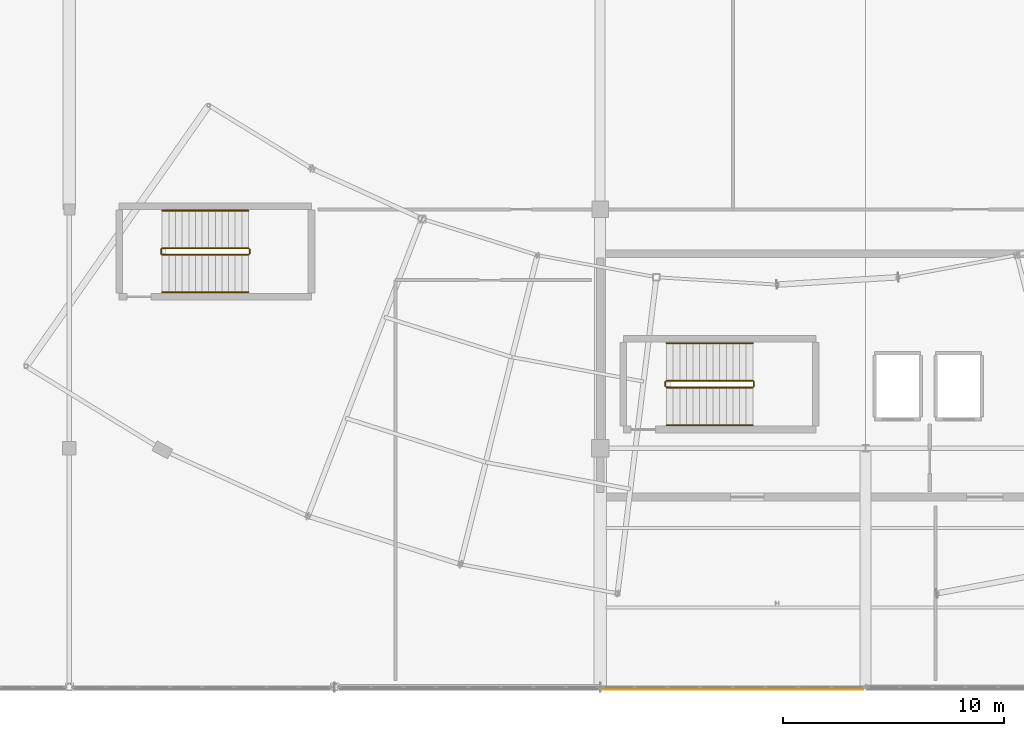
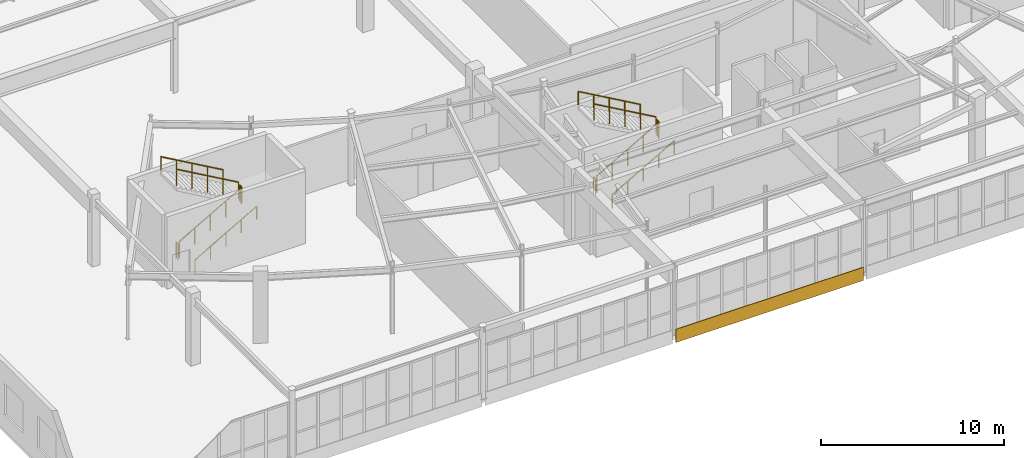
# One storey, part 166 of 186: 12 railings, 1 covering.
"""IFC4 building model written with IfcOpenShell, lengths in metres."""

from ifc_helpers import new_model, si_unit, direction, frame, origin, origin_2d, place, context, subcontext, project, spatial, rectangle, circle, extrude, material, layer, layer_set, type_object, element, save


model = new_model("IFC4")

# Units and contexts
model_context = context("Model", 3, precision=1e-05, world=origin(), true_north=direction((0.0, 1.0)))
body_context = subcontext(model_context, "Body", "Model", "MODEL_VIEW")
ifc_project = project(units=[si_unit("LENGTHUNIT", "METRE"), si_unit("AREAUNIT", "SQUARE_METRE"), si_unit("VOLUMEUNIT", "CUBIC_METRE"), si_unit("PLANEANGLEUNIT", "RADIAN"), si_unit("MASSUNIT", "GRAM", prefix="KILO")], contexts=[model_context])

# Site, building, storey
site_placement = place(None, origin())
site = spatial("IfcSite", under=ifc_project, at=site_placement, CompositionType="ELEMENT")
building_placement = place(site_placement, origin())
building = spatial("IfcBuilding", under=site, at=building_placement, Name="Tarnwether General Hospital", CompositionType="ELEMENT")
storey_placement = place(building_placement, frame((0.0, 0.0, 9.60009765625)))
storey = spatial("IfcBuildingStorey", under=building, at=storey_placement, Name="L02", CompositionType="ELEMENT", Elevation=9.60009765625)

# Covering
ifc_material_1 = material(Name="Folded zinc-titanium cladding")
ifc_layer = layer(ifc_material_1, 0.0400390625)
ifc_layer_set = layer_set([ifc_layer], Name="Folded zinc-titanium cladding")
covering_type = type_object("IfcCoveringType", Name="CV-CLD-ZNC", PredefinedType="CLADDING", material=ifc_layer_set)
covering_placement = place(storey_placement, frame((90.0, -0.090087890625, -0.52001953125), z_axis=(0.0, 0.0, 1.0), x_axis=(1.0, 0.0, 0.0)))
element("IfcCovering", 1, at=covering_placement, inside=storey, type_object=covering_type, Name="Diagnostic Base Faceted Zinc Spandrel 079", PredefinedType="CLADDING", context=body_context, shape_type="SweptSolid", body=[
    extrude(rectangle(XDim=11.800048828125, YDim=0.0400390625, at=origin_2d()), origin(), (0.0, 0.0, 1.0), 0.8798828125),
])

# Railings
ifc_material_2 = material(Name="Anodised aluminium", Category="aluminium")
railing_type_1 = type_object("IfcRailingType", Name="RL-GRD-INT", PredefinedType="GUARDRAIL", material=ifc_material_2)
railing_1_placement = place(storey_placement, frame((87.0, 13.550048828125, 0.17138671875)))
element("IfcRailing", 2, at=railing_1_placement, inside=storey, type_object=railing_type_1, Name="L02 ST-02 stair guard 1", PredefinedType="GUARDRAIL", context=body_context, shape_type="SweptSolid", body=[
    extrude(circle(Radius=0.02392578125, at=origin_2d()), frame((0.0, 0.0, 1.076171875), z_axis=(0.868243142124, 0.0, 0.496138938357), x_axis=(0.0, 1.0, 0.0)), (0.0, 0.0, 1.0), 4.49169921875),
    extrude(circle(Radius=0.02099609375, at=origin_2d()), origin(), (0.0, 0.0, 1.0), 1.052001953125),
    extrude(circle(Radius=0.02099609375, at=origin_2d()), frame((0.97509765625, 0.0, 0.55712890625)), (0.0, 0.0, 1.0), 1.052001953125),
    extrude(circle(Radius=0.02099609375, at=origin_2d()), frame((1.949951171875, 0.0, 1.1142578125)), (0.0, 0.0, 1.0), 1.052001953125),
    extrude(circle(Radius=0.02099609375, at=origin_2d()), frame((2.9248046875, 0.0, 1.67138671875)), (0.0, 0.0, 1.0), 1.052001953125),
    extrude(circle(Radius=0.02099609375, at=origin_2d()), frame((3.89990234375, 0.0, 2.228515625)), (0.0, 0.0, 1.0), 1.052001953125),
])
railing_2_placement = place(storey_placement, frame((90.949951171875, 13.60009765625, 2.39990234375)))
element("IfcRailing", 3, at=railing_2_placement, inside=storey, type_object=railing_type_1, Name="L02 ST-02 stair guard 2", PredefinedType="GUARDRAIL", context=body_context, shape_type="SweptSolid", body=[
    extrude(circle(Radius=0.02392578125, at=origin_2d()), frame((0.0, 0.0, 1.076171875), z_axis=(0.0, 1.0, 0.0), x_axis=(-1.0, 0.0, 0.0)), (0.0, 0.0, 1.0), 0.199951171875),
    extrude(circle(Radius=0.02099609375, at=origin_2d()), origin(), (0.0, 0.0, 1.0), 1.052001953125),
    extrude(circle(Radius=0.02099609375, at=origin_2d()), frame((0.0, 0.199951171875, 0.0)), (0.0, 0.0, 1.0), 1.052001953125),
])
railing_3_placement = place(storey_placement, frame((90.89990234375, 13.85009765625, 2.5712890625)))
element("IfcRailing", 4, at=railing_3_placement, inside=storey, type_object=railing_type_1, Name="L02 ST-02 stair guard 3", PredefinedType="GUARDRAIL", context=body_context, shape_type="SweptSolid", body=[
    extrude(circle(Radius=0.02392578125, at=origin_2d()), frame((0.0, 0.0, 1.076171875), z_axis=(-0.868243142124, 0.0, 0.496138938357), x_axis=(0.0, -1.0, 0.0)), (0.0, 0.0, 1.0), 4.49169921875),
    extrude(circle(Radius=0.02099609375, at=origin_2d()), origin(), (0.0, 0.0, 1.0), 1.052001953125),
    extrude(circle(Radius=0.02099609375, at=origin_2d()), frame((-0.97509765625, 0.0, 0.55712890625)), (0.0, 0.0, 1.0), 1.052001953125),
    extrude(circle(Radius=0.02099609375, at=origin_2d()), frame((-1.949951171875, 0.0, 1.1142578125)), (0.0, 0.0, 1.0), 1.052001953125),
    extrude(circle(Radius=0.02099609375, at=origin_2d()), frame((-2.9248046875, 0.0, 1.67138671875)), (0.0, 0.0, 1.0), 1.052001953125),
    extrude(circle(Radius=0.02099609375, at=origin_2d()), frame((-3.89990234375, 0.0, 2.228515625)), (0.0, 0.0, 1.0), 1.052001953125),
])
railing_4_placement = place(storey_placement, frame((86.949951171875, 13.60009765625, 0.0)))
element("IfcRailing", 5, at=railing_4_placement, inside=storey, type_object=railing_type_1, Name="L02 ST-02 stair guard 4", PredefinedType="GUARDRAIL", context=body_context, shape_type="SweptSolid", body=[
    extrude(circle(Radius=0.02392578125, at=origin_2d()), frame((0.0, 0.0, 1.076171875), z_axis=(0.0, 1.0, 0.0), x_axis=(-1.0, 0.0, 0.0)), (0.0, 0.0, 1.0), 0.199951171875),
    extrude(circle(Radius=0.02099609375, at=origin_2d()), origin(), (0.0, 0.0, 1.0), 1.052001953125),
    extrude(circle(Radius=0.02099609375, at=origin_2d()), frame((0.0, 0.199951171875, 0.0)), (0.0, 0.0, 1.0), 1.052001953125),
])
railing_5_placement = place(storey_placement, frame((64.199951171875, 19.550048828125, 0.17138671875)))
element("IfcRailing", 6, at=railing_5_placement, inside=storey, type_object=railing_type_1, Name="L02 ST-09 stair guard 1", PredefinedType="GUARDRAIL", context=body_context, shape_type="SweptSolid", body=[
    extrude(circle(Radius=0.02392578125, at=origin_2d()), frame((0.0, 0.0, 1.076171875), z_axis=(0.868256520506, 0.0, 0.496115525457), x_axis=(0.0, 1.0, 0.0)), (0.0, 0.0, 1.0), 4.491943359375),
    extrude(circle(Radius=0.02099609375, at=origin_2d()), origin(), (0.0, 0.0, 1.0), 1.052001953125),
    extrude(circle(Radius=0.02099609375, at=origin_2d()), frame((0.97509765625, 0.0, 0.55712890625)), (0.0, 0.0, 1.0), 1.052001953125),
    extrude(circle(Radius=0.02099609375, at=origin_2d()), frame((1.9501953125, 0.0, 1.1142578125)), (0.0, 0.0, 1.0), 1.052001953125),
    extrude(circle(Radius=0.02099609375, at=origin_2d()), frame((2.925048828125, 0.0, 1.67138671875)), (0.0, 0.0, 1.0), 1.052001953125),
    extrude(circle(Radius=0.02099609375, at=origin_2d()), frame((3.900146484375, 0.0, 2.228515625)), (0.0, 0.0, 1.0), 1.052001953125),
])
railing_6_placement = place(storey_placement, frame((68.14990234375, 19.60009765625, 2.39990234375)))
element("IfcRailing", 7, at=railing_6_placement, inside=storey, type_object=railing_type_1, Name="L02 ST-09 stair guard 2", PredefinedType="GUARDRAIL", context=body_context, shape_type="SweptSolid", body=[
    extrude(circle(Radius=0.02392578125, at=origin_2d()), frame((0.0, 0.0, 1.076171875), z_axis=(0.0, 1.0, 0.0), x_axis=(-1.0, 0.0, 0.0)), (0.0, 0.0, 1.0), 0.199951171875),
    extrude(circle(Radius=0.02099609375, at=origin_2d()), origin(), (0.0, 0.0, 1.0), 1.052001953125),
    extrude(circle(Radius=0.02099609375, at=origin_2d()), frame((0.0, 0.199951171875, 0.0)), (0.0, 0.0, 1.0), 1.052001953125),
])
railing_7_placement = place(storey_placement, frame((68.10009765625, 19.85009765625, 2.5712890625)))
element("IfcRailing", 8, at=railing_7_placement, inside=storey, type_object=railing_type_1, Name="L02 ST-09 stair guard 3", PredefinedType="GUARDRAIL", context=body_context, shape_type="SweptSolid", body=[
    extrude(circle(Radius=0.02392578125, at=origin_2d()), frame((0.0, 0.0, 1.076171875), z_axis=(-0.868256520506, 0.0, 0.496115525457), x_axis=(0.0, -1.0, 0.0)), (0.0, 0.0, 1.0), 4.491943359375),
    extrude(circle(Radius=0.02099609375, at=origin_2d()), origin(), (0.0, 0.0, 1.0), 1.052001953125),
    extrude(circle(Radius=0.02099609375, at=origin_2d()), frame((-0.97509765625, 0.0, 0.55712890625)), (0.0, 0.0, 1.0), 1.052001953125),
    extrude(circle(Radius=0.02099609375, at=origin_2d()), frame((-1.9501953125, 0.0, 1.1142578125)), (0.0, 0.0, 1.0), 1.052001953125),
    extrude(circle(Radius=0.02099609375, at=origin_2d()), frame((-2.925048828125, 0.0, 1.67138671875)), (0.0, 0.0, 1.0), 1.052001953125),
    extrude(circle(Radius=0.02099609375, at=origin_2d()), frame((-3.900146484375, 0.0, 2.228515625)), (0.0, 0.0, 1.0), 1.052001953125),
])
railing_8_placement = place(storey_placement, frame((64.14990234375, 19.60009765625, 0.0)))
element("IfcRailing", 9, at=railing_8_placement, inside=storey, type_object=railing_type_1, Name="L02 ST-09 stair guard 4", PredefinedType="GUARDRAIL", context=body_context, shape_type="SweptSolid", body=[
    extrude(circle(Radius=0.02392578125, at=origin_2d()), frame((0.0, 0.0, 1.076171875), z_axis=(0.0, 1.0, 0.0), x_axis=(-1.0, 0.0, 0.0)), (0.0, 0.0, 1.0), 0.199951171875),
    extrude(circle(Radius=0.02099609375, at=origin_2d()), origin(), (0.0, 0.0, 1.0), 1.052001953125),
    extrude(circle(Radius=0.02099609375, at=origin_2d()), frame((0.0, 0.199951171875, 0.0)), (0.0, 0.0, 1.0), 1.052001953125),
])
ifc_material_3 = material(Name="Anodised aluminium", Category="aluminium")
railing_type_2 = type_object("IfcRailingType", Name="RL-HND-INT", PredefinedType="HANDRAIL", material=ifc_material_3)
railing_9_placement = place(storey_placement, frame((87.0, 11.85009765625, 0.17138671875)))
element("IfcRailing", 10, at=railing_9_placement, inside=storey, type_object=railing_type_2, Name="L02 ST-02 stair handrail 1", PredefinedType="HANDRAIL", context=body_context, shape_type="SweptSolid", body=[
    extrude(circle(Radius=0.02392578125, at=origin_2d()), frame((0.0, 0.0, 0.8759765625), z_axis=(0.868243142124, 0.0, 0.496138938357), x_axis=(0.0, 1.0, 0.0)), (0.0, 0.0, 1.0), 4.49169921875),
    extrude(circle(Radius=0.02099609375, at=origin_2d()), origin(), (0.0, 0.0, 1.0), 0.851806640625),
    extrude(circle(Radius=0.02099609375, at=origin_2d()), frame((0.97509765625, 0.0, 0.55712890625)), (0.0, 0.0, 1.0), 0.851806640625),
    extrude(circle(Radius=0.02099609375, at=origin_2d()), frame((1.949951171875, 0.0, 1.1142578125)), (0.0, 0.0, 1.0), 0.851806640625),
    extrude(circle(Radius=0.02099609375, at=origin_2d()), frame((2.9248046875, 0.0, 1.67138671875)), (0.0, 0.0, 1.0), 0.851806640625),
    extrude(circle(Radius=0.02099609375, at=origin_2d()), frame((3.89990234375, 0.0, 2.228515625)), (0.0, 0.0, 1.0), 0.851806640625),
])
railing_10_placement = place(storey_placement, frame((90.89990234375, 15.550048828125, 2.5712890625)))
element("IfcRailing", 11, at=railing_10_placement, inside=storey, type_object=railing_type_2, Name="L02 ST-02 stair handrail 2", PredefinedType="HANDRAIL", context=body_context, shape_type="SweptSolid", body=[
    extrude(circle(Radius=0.02392578125, at=origin_2d()), frame((0.0, 0.0, 0.8759765625), z_axis=(-0.868243142124, 0.0, 0.496138938357), x_axis=(0.0, -1.0, 0.0)), (0.0, 0.0, 1.0), 4.49169921875),
    extrude(circle(Radius=0.02099609375, at=origin_2d()), origin(), (0.0, 0.0, 1.0), 0.851806640625),
    extrude(circle(Radius=0.02099609375, at=origin_2d()), frame((-0.97509765625, 0.0, 0.55712890625)), (0.0, 0.0, 1.0), 0.851806640625),
    extrude(circle(Radius=0.02099609375, at=origin_2d()), frame((-1.949951171875, 0.0, 1.1142578125)), (0.0, 0.0, 1.0), 0.851806640625),
    extrude(circle(Radius=0.02099609375, at=origin_2d()), frame((-2.9248046875, 0.0, 1.67138671875)), (0.0, 0.0, 1.0), 0.851806640625),
    extrude(circle(Radius=0.02099609375, at=origin_2d()), frame((-3.89990234375, 0.0, 2.228515625)), (0.0, 0.0, 1.0), 0.851806640625),
])
railing_11_placement = place(storey_placement, frame((64.199951171875, 17.85009765625, 0.17138671875)))
element("IfcRailing", 12, at=railing_11_placement, inside=storey, type_object=railing_type_2, Name="L02 ST-09 stair handrail 1", PredefinedType="HANDRAIL", context=body_context, shape_type="SweptSolid", body=[
    extrude(circle(Radius=0.02392578125, at=origin_2d()), frame((0.0, 0.0, 0.8759765625), z_axis=(0.868256520506, 0.0, 0.496115525457), x_axis=(0.0, 1.0, 0.0)), (0.0, 0.0, 1.0), 4.491943359375),
    extrude(circle(Radius=0.02099609375, at=origin_2d()), origin(), (0.0, 0.0, 1.0), 0.851806640625),
    extrude(circle(Radius=0.02099609375, at=origin_2d()), frame((0.97509765625, 0.0, 0.55712890625)), (0.0, 0.0, 1.0), 0.851806640625),
    extrude(circle(Radius=0.02099609375, at=origin_2d()), frame((1.9501953125, 0.0, 1.1142578125)), (0.0, 0.0, 1.0), 0.851806640625),
    extrude(circle(Radius=0.02099609375, at=origin_2d()), frame((2.925048828125, 0.0, 1.67138671875)), (0.0, 0.0, 1.0), 0.851806640625),
    extrude(circle(Radius=0.02099609375, at=origin_2d()), frame((3.900146484375, 0.0, 2.228515625)), (0.0, 0.0, 1.0), 0.851806640625),
])
railing_12_placement = place(storey_placement, frame((68.10009765625, 21.550048828125, 2.5712890625)))
element("IfcRailing", 13, at=railing_12_placement, inside=storey, type_object=railing_type_2, Name="L02 ST-09 stair handrail 2", PredefinedType="HANDRAIL", context=body_context, shape_type="SweptSolid", body=[
    extrude(circle(Radius=0.02392578125, at=origin_2d()), frame((0.0, 0.0, 0.8759765625), z_axis=(-0.868256520506, 0.0, 0.496115525457), x_axis=(0.0, -1.0, 0.0)), (0.0, 0.0, 1.0), 4.491943359375),
    extrude(circle(Radius=0.02099609375, at=origin_2d()), origin(), (0.0, 0.0, 1.0), 0.851806640625),
    extrude(circle(Radius=0.02099609375, at=origin_2d()), frame((-0.97509765625, 0.0, 0.55712890625)), (0.0, 0.0, 1.0), 0.851806640625),
    extrude(circle(Radius=0.02099609375, at=origin_2d()), frame((-1.9501953125, 0.0, 1.1142578125)), (0.0, 0.0, 1.0), 0.851806640625),
    extrude(circle(Radius=0.02099609375, at=origin_2d()), frame((-2.925048828125, 0.0, 1.67138671875)), (0.0, 0.0, 1.0), 0.851806640625),
    extrude(circle(Radius=0.02099609375, at=origin_2d()), frame((-3.900146484375, 0.0, 2.228515625)), (0.0, 0.0, 1.0), 0.851806640625),
])

save(model, "model.ifc")
